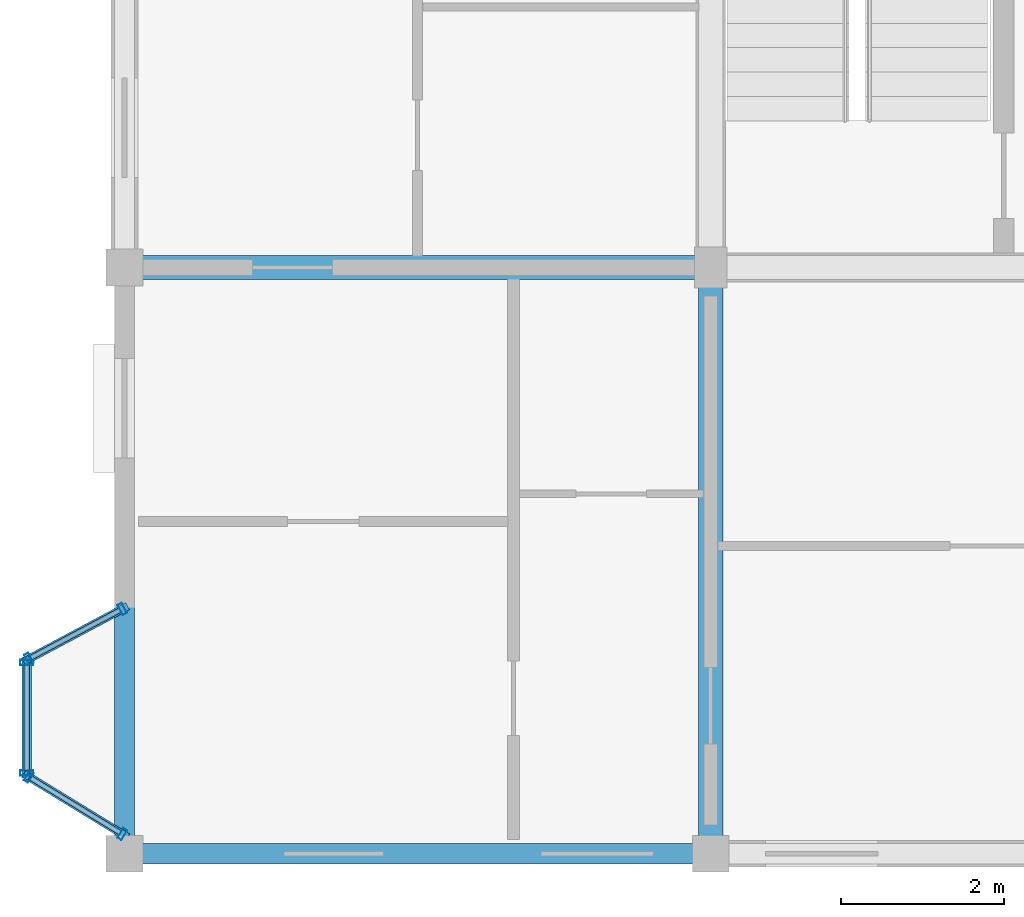
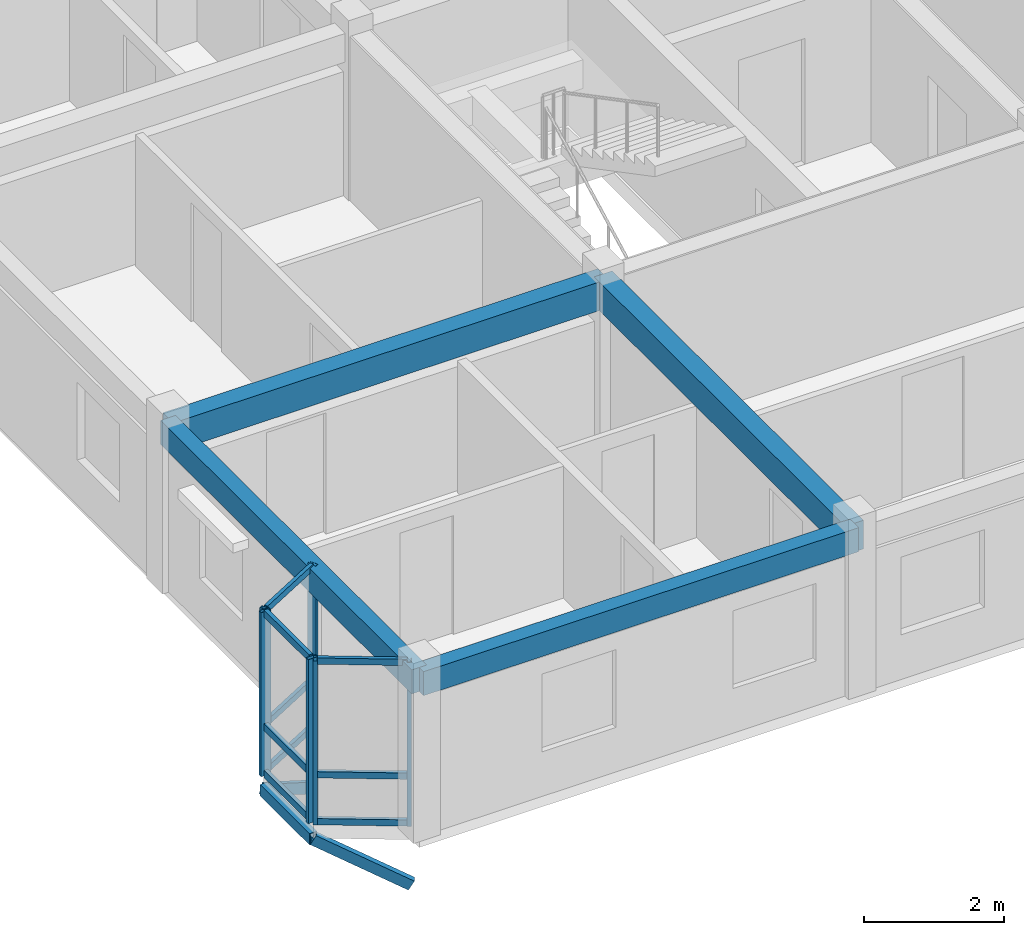
# One storey, part 3 of 23: 18 members, 4 beams, 3 elements without a shape of their own.
"""IFC4 building model written with IfcOpenShell, lengths in metres."""

from ifc_helpers import new_model, si_unit, direction, frame, origin, origin_2d, place, context, subcontext, project, spatial, rectangle, hollow_rectangle, extrude, material, layer, layer_set, material_profile, profile_set, type_object, element, aggregate, save


model = new_model("IFC4")

# Units and contexts
model_context = context("Model", 3, precision=1e-05, world=origin(), true_north=direction((0.0, 1.0)))
body_context = subcontext(model_context, "Body", "Model", "MODEL_VIEW")
ifc_project = project(units=[si_unit("LENGTHUNIT", "METRE"), si_unit("AREAUNIT", "SQUARE_METRE"), si_unit("VOLUMEUNIT", "CUBIC_METRE"), si_unit("PLANEANGLEUNIT", "RADIAN"), si_unit("MASSUNIT", "GRAM", prefix="KILO"), si_unit("THERMODYNAMICTEMPERATUREUNIT", "KELVIN"), si_unit("POWERUNIT", "WATT")], contexts=[model_context])

# Site, building, storey
site_placement = place(None, origin())
site = spatial("IfcSite", under=ifc_project, at=site_placement, CompositionType="ELEMENT")
building_placement = place(site_placement, origin())
building = spatial("IfcBuilding", under=site, at=building_placement, Name="Tavuni Mirador Residences", CompositionType="ELEMENT")
storey_placement = place(building_placement, frame((0.0, 0.0, 42.300048828125)))
storey = spatial("IfcBuildingStorey", under=building, at=storey_placement, Name="L13", CompositionType="ELEMENT", Elevation=42.300048828125)

# Beams
ifc_material_1 = material(Name="Precast concrete C40/50", Category="concrete")
ifc_material_profile_1 = material_profile(ifc_material_1, rectangle(XDim=0.300048828125, YDim=0.5, at=origin_2d()), Name="PC 300x500", Category="concrete")
ifc_profile_set_1 = profile_set([ifc_material_profile_1], Name="Precast concrete C40/50")
beam_type_1 = type_object("IfcBeamType", Name="BT-B500", PredefinedType="BEAM", material=ifc_profile_set_1)
for number, where, z_axis, x_axis, name in (
    (1, (3.60009765625, 14.39990234375, 2.619873046875), (1.0, 0.0, 0.0), (0.0, 1.0, 0.0), "BMX-BLK-A-L13-00-01"),
    (2, (10.800048828125, 7.199951171875, 2.619873046875), (0.0, 1.0, 0.0), (-1.0, 0.0, 0.0), "BMY-BLK-A-L13-01-00"),
):
    element("IfcBeam", number, at=place(storey_placement, frame(where, z_axis=z_axis, x_axis=x_axis)), inside=storey, type_object=beam_type_1, Name=name, PredefinedType="BEAM", context=body_context, shape_type="SweptSolid", body=[
        extrude(rectangle(XDim=0.300048828125, YDim=0.5, at=origin_2d()), origin(), (0.0, 0.0, 1.0), 7.199951171875),
    ])
ifc_material_profile_2 = material_profile(ifc_material_1, rectangle(XDim=0.25, YDim=0.419921875, at=origin_2d()), Name="PC 250x420", Category="concrete")
ifc_profile_set_2 = profile_set([ifc_material_profile_2], Name="Precast concrete C40/50")
beam_type_2 = type_object("IfcBeamType", Name="BT-SP420", PredefinedType="SPANDREL", material=ifc_profile_set_2)
for number, where, z_axis, x_axis, name in (
    (3, (3.60009765625, 7.199951171875, 2.659912109375), (1.0, 0.0, 0.0), (0.0, 1.0, 0.0), "BMX-BLK-A-L13-00-00"),
    (4, (3.60009765625, 7.199951171875, 2.659912109375), (0.0, 1.0, 0.0), (-1.0, 0.0, 0.0), "BMY-BLK-A-L13-00-00"),
):
    element("IfcBeam", number, at=place(storey_placement, frame(where, z_axis=z_axis, x_axis=x_axis)), inside=storey, type_object=beam_type_2, Name=name, PredefinedType="SPANDREL", context=body_context, shape_type="SweptSolid", body=[
        extrude(rectangle(XDim=0.25, YDim=0.419921875, at=origin_2d()), origin(), (0.0, 0.0, 1.0), 7.199951171875),
    ])

# Curtain wall, members
ifc_material_2 = material(Name="Anodised aluminium", Category="aluminium")
ifc_layer_1 = layer(ifc_material_2, 0.1650390625, Name="Anodised aluminium", Category="aluminium")
ifc_layer_set_1 = layer_set([ifc_layer_1], Name="Anodised aluminium")
curtain_wall_type_1 = type_object("IfcCurtainWallType", Name="CWT-MIR-A", PredefinedType="NOTDEFINED", material=ifc_layer_set_1)
curtain_wall_1_placement = place(storey_placement, origin())
curtain_wall_1 = element("IfcCurtainWall", 5, at=curtain_wall_1_placement, inside=storey, type_object=curtain_wall_type_1, Name="CW-MIR-A-W1-L13-M1", PredefinedType="NOTDEFINED")
ifc_material_profile_3 = material_profile(ifc_material_2, hollow_rectangle(XDim=0.06005859375, YDim=0.139892578125, WallThickness=0.00390625, at=origin_2d()), Name="ALU 60x140x4.0", Category="aluminium")
ifc_profile_set_3 = profile_set([ifc_material_profile_3], Name="Anodised aluminium")
member_type_1 = type_object("IfcMemberType", Name="CWM-140", PredefinedType="MULLION", material=ifc_profile_set_3)
member_1_placement = place(storey_placement, frame((3.573486328125, 10.205810546875, 0.0), z_axis=(0.0, 0.0, 1.0), x_axis=(-0.882352941175, -0.470588235296, 0.0)))
member_1 = element("IfcMember", 6, at=member_1_placement, type_object=member_type_1, Name="CW-01 mullion 1", PredefinedType="MULLION", context=body_context, shape_type="SweptSolid", body=[
    extrude(hollow_rectangle(XDim=0.06005859375, YDim=0.139892578125, WallThickness=0.00390625, at=origin_2d()), origin(), (0.0, 0.0, 1.0), 2.869873046875),
])
member_2_placement = place(storey_placement, frame((2.426513671875, 9.59423828125, 0.0), z_axis=(0.0, 0.0, 1.0), x_axis=(-0.882352941175, -0.470588235296, 0.0)))
member_2 = element("IfcMember", 7, at=member_2_placement, type_object=member_type_1, Name="CW-01 mullion 2", PredefinedType="MULLION", context=body_context, shape_type="SweptSolid", body=[
    extrude(hollow_rectangle(XDim=0.06005859375, YDim=0.139892578125, WallThickness=0.00390625, at=origin_2d()), origin(), (0.0, 0.0, 1.0), 2.869873046875),
])

ifc_layer_2 = layer(ifc_material_2, 0.175048828125, Name="Anodised aluminium", Category="aluminium")
ifc_layer_set_2 = layer_set([ifc_layer_2], Name="Anodised aluminium")
curtain_wall_type_2 = type_object("IfcCurtainWallType", Name="CWT-MIR-C", PredefinedType="NOTDEFINED", material=ifc_layer_set_2)
curtain_wall_2_placement = place(storey_placement, origin())
curtain_wall_2 = element("IfcCurtainWall", 8, at=curtain_wall_2_placement, inside=storey, type_object=curtain_wall_type_2, Name="CW-MIR-A-W1-L13-M2", PredefinedType="NOTDEFINED")
member_3_placement = place(storey_placement, frame((2.425537109375, 8.144287109375, 0.0), z_axis=(0.0, 0.0, 1.0), x_axis=(0.852754414845, -0.522312079088, 0.0)))
member_3 = element("IfcMember", 9, at=member_3_placement, type_object=member_type_1, Name="CW-03 mullion 1", PredefinedType="MULLION", context=body_context, shape_type="SweptSolid", body=[
    extrude(hollow_rectangle(XDim=0.06005859375, YDim=0.139892578125, WallThickness=0.00390625, at=origin_2d()), origin(), (0.0, 0.0, 1.0), 2.869873046875),
])
member_4_placement = place(storey_placement, frame((3.574462890625, 7.440673828125, 0.0), z_axis=(0.0, 0.0, 1.0), x_axis=(0.852754414845, -0.522312079088, 0.0)))
member_4 = element("IfcMember", 10, at=member_4_placement, type_object=member_type_1, Name="CW-03 mullion 2", PredefinedType="MULLION", context=body_context, shape_type="SweptSolid", body=[
    extrude(hollow_rectangle(XDim=0.06005859375, YDim=0.139892578125, WallThickness=0.00390625, at=origin_2d()), origin(), (0.0, 0.0, 1.0), 2.869873046875),
])

ifc_layer_3 = layer(ifc_material_2, 0.14990234375, Name="Anodised aluminium", Category="aluminium")
ifc_layer_set_3 = layer_set([ifc_layer_3], Name="Anodised aluminium")
curtain_wall_type_3 = type_object("IfcCurtainWallType", Name="CWT-MIR-B", PredefinedType="NOTDEFINED", material=ifc_layer_set_3)
curtain_wall_3_placement = place(storey_placement, origin())
curtain_wall_3 = element("IfcCurtainWall", 11, at=curtain_wall_3_placement, inside=storey, type_object=curtain_wall_type_3, Name="CW-MIR-A-W1-L13-MF", PredefinedType="NOTDEFINED")
ifc_material_profile_4 = material_profile(ifc_material_2, hollow_rectangle(XDim=0.06494140625, YDim=0.1650390625, WallThickness=0.00439453125, at=origin_2d()), Name="ALU 65x165x4.5", Category="aluminium")
ifc_profile_set_4 = profile_set([ifc_material_profile_4], Name="Anodised aluminium")
member_type_2 = type_object("IfcMemberType", Name="CWM-165", PredefinedType="MULLION", material=ifc_profile_set_4)
member_5_placement = place(storey_placement, frame((2.39990234375, 9.547607421875, 0.0), z_axis=(0.0, 0.0, 1.0), x_axis=(0.0, -1.0, 0.0)))
member_5 = element("IfcMember", 12, at=member_5_placement, type_object=member_type_2, Name="CW-02 mullion 1", PredefinedType="MULLION", context=body_context, shape_type="SweptSolid", body=[
    extrude(hollow_rectangle(XDim=0.06494140625, YDim=0.1650390625, WallThickness=0.00439453125, at=origin_2d()), origin(), (0.0, 0.0, 1.0), 2.869873046875),
])
member_6_placement = place(storey_placement, frame((2.39990234375, 8.1923828125, 0.0), z_axis=(0.0, 0.0, 1.0), x_axis=(0.0, -1.0, 0.0)))
member_6 = element("IfcMember", 13, at=member_6_placement, type_object=member_type_2, Name="CW-02 mullion 2", PredefinedType="MULLION", context=body_context, shape_type="SweptSolid", body=[
    extrude(hollow_rectangle(XDim=0.06494140625, YDim=0.1650390625, WallThickness=0.00439453125, at=origin_2d()), origin(), (0.0, 0.0, 1.0), 2.869873046875),
])

# Member
ifc_material_profile_5 = material_profile(ifc_material_2, hollow_rectangle(XDim=0.06005859375, YDim=0.110107421875, WallThickness=0.00390625, at=origin_2d()), Name="ALU 60x110x4.0", Category="aluminium")
ifc_profile_set_5 = profile_set([ifc_material_profile_5], Name="Anodised aluminium")
member_type_3 = type_object("IfcMemberType", Name="CWT-110", PredefinedType="USERDEFINED", material=ifc_profile_set_5)
member_7_placement = place(storey_placement, frame((3.547119140625, 10.191650390625, 0.030029296875), z_axis=(-0.882385637708, -0.470526924168, 0.0), x_axis=(0.470526924168, -0.882385637708, 0.0)))
member_7 = element("IfcMember", 14, at=member_7_placement, type_object=member_type_3, Name="CW-01 transom 1.1", ObjectType="TRANSOM", PredefinedType="USERDEFINED", context=body_context, shape_type="SweptSolid", body=[
    extrude(hollow_rectangle(XDim=0.06005859375, YDim=0.110107421875, WallThickness=0.00390625, at=origin_2d()), origin(), (0.0, 0.0, 1.0), 1.239990234375),
])

member_8_placement = place(storey_placement, frame((3.547119140625, 10.191650390625, 0.849853515625), z_axis=(-0.882385637708, -0.470526924168, 0.0), x_axis=(0.470526924168, -0.882385637708, 0.0)))
member_8 = element("IfcMember", 15, at=member_8_placement, type_object=member_type_3, Name="CW-01 transom 1.2", ObjectType="TRANSOM", PredefinedType="USERDEFINED", context=body_context, shape_type="SweptSolid", body=[
    extrude(hollow_rectangle(XDim=0.06005859375, YDim=0.110107421875, WallThickness=0.00390625, at=origin_2d()), origin(), (0.0, 0.0, 1.0), 1.239990234375),
])

member_9_placement = place(storey_placement, frame((3.547119140625, 10.191650390625, 2.83984375), z_axis=(-0.882385637708, -0.470526924168, 0.0), x_axis=(0.470526924168, -0.882385637708, 0.0)))
member_9 = element("IfcMember", 16, at=member_9_placement, type_object=member_type_3, Name="CW-01 transom 1.3", ObjectType="TRANSOM", PredefinedType="USERDEFINED", context=body_context, shape_type="SweptSolid", body=[
    extrude(hollow_rectangle(XDim=0.06005859375, YDim=0.110107421875, WallThickness=0.00390625, at=origin_2d()), origin(), (0.0, 0.0, 1.0), 1.239990234375),
])

aggregate(curtain_wall_1, [member_1, member_2, member_7, member_8, member_9])

member_10_placement = place(storey_placement, frame((2.451171875, 8.128662109375, 0.030029296875), z_axis=(0.852737518817, -0.522339663439, 0.0), x_axis=(0.522339663439, 0.852737518817, 0.0)))
member_10 = element("IfcMember", 17, at=member_10_placement, type_object=member_type_3, Name="CW-03 transom 1.1", ObjectType="TRANSOM", PredefinedType="USERDEFINED", context=body_context, shape_type="SweptSolid", body=[
    extrude(hollow_rectangle(XDim=0.06005859375, YDim=0.110107421875, WallThickness=0.00390625, at=origin_2d()), origin(), (0.0, 0.0, 1.0), 1.287109375),
])

member_11_placement = place(storey_placement, frame((2.451171875, 8.128662109375, 0.849853515625), z_axis=(0.852737518817, -0.522339663439, 0.0), x_axis=(0.522339663439, 0.852737518817, 0.0)))
member_11 = element("IfcMember", 18, at=member_11_placement, type_object=member_type_3, Name="CW-03 transom 1.2", ObjectType="TRANSOM", PredefinedType="USERDEFINED", context=body_context, shape_type="SweptSolid", body=[
    extrude(hollow_rectangle(XDim=0.06005859375, YDim=0.110107421875, WallThickness=0.00390625, at=origin_2d()), origin(), (0.0, 0.0, 1.0), 1.287109375),
])

member_12_placement = place(storey_placement, frame((2.451171875, 8.128662109375, 2.83984375), z_axis=(0.852737518817, -0.522339663439, 0.0), x_axis=(0.522339663439, 0.852737518817, 0.0)))
member_12 = element("IfcMember", 19, at=member_12_placement, type_object=member_type_3, Name="CW-03 transom 1.3", ObjectType="TRANSOM", PredefinedType="USERDEFINED", context=body_context, shape_type="SweptSolid", body=[
    extrude(hollow_rectangle(XDim=0.06005859375, YDim=0.110107421875, WallThickness=0.00390625, at=origin_2d()), origin(), (0.0, 0.0, 1.0), 1.287109375),
])

aggregate(curtain_wall_2, [member_3, member_4, member_10, member_11, member_12])

ifc_material_profile_6 = material_profile(ifc_material_2, hollow_rectangle(XDim=0.06494140625, YDim=0.125, WallThickness=0.00439453125, at=origin_2d()), Name="ALU 65x125x4.5", Category="aluminium")
ifc_profile_set_6 = profile_set([ifc_material_profile_6], Name="Anodised aluminium")
member_type_4 = type_object("IfcMemberType", Name="CWT-125", PredefinedType="USERDEFINED", material=ifc_profile_set_6)
member_13_placement = place(storey_placement, frame((2.39990234375, 9.514892578125, 0.032470703125), z_axis=(0.0, -1.0, 0.0), x_axis=(1.0, 0.0, 0.0)))
member_13 = element("IfcMember", 20, at=member_13_placement, type_object=member_type_4, Name="CW-02 transom 1.1", ObjectType="TRANSOM", PredefinedType="USERDEFINED", context=body_context, shape_type="SweptSolid", body=[
    extrude(hollow_rectangle(XDim=0.06494140625, YDim=0.125, WallThickness=0.00439453125, at=origin_2d()), origin(), (0.0, 0.0, 1.0), 1.289794921875),
])

member_14_placement = place(storey_placement, frame((2.39990234375, 9.514892578125, 0.849853515625), z_axis=(0.0, -1.0, 0.0), x_axis=(1.0, 0.0, 0.0)))
member_14 = element("IfcMember", 21, at=member_14_placement, type_object=member_type_4, Name="CW-02 transom 1.2", ObjectType="TRANSOM", PredefinedType="USERDEFINED", context=body_context, shape_type="SweptSolid", body=[
    extrude(hollow_rectangle(XDim=0.06494140625, YDim=0.125, WallThickness=0.00439453125, at=origin_2d()), origin(), (0.0, 0.0, 1.0), 1.289794921875),
])

member_15_placement = place(storey_placement, frame((2.39990234375, 9.514892578125, 2.83740234375), z_axis=(0.0, -1.0, 0.0), x_axis=(1.0, 0.0, 0.0)))
member_15 = element("IfcMember", 22, at=member_15_placement, type_object=member_type_4, Name="CW-02 transom 1.3", ObjectType="TRANSOM", PredefinedType="USERDEFINED", context=body_context, shape_type="SweptSolid", body=[
    extrude(hollow_rectangle(XDim=0.06494140625, YDim=0.125, WallThickness=0.00439453125, at=origin_2d()), origin(), (0.0, 0.0, 1.0), 1.289794921875),
])

aggregate(curtain_wall_3, [member_5, member_6, member_13, member_14, member_15])

# Members
ifc_material_3 = material(Name="Structural steel S355", Category="steel")
ifc_material_profile_7 = material_profile(ifc_material_3, hollow_rectangle(XDim=0.10009765625, YDim=0.179931640625, WallThickness=0.008056640625, at=origin_2d()), Name="RHS 180x100x8.0", Category="steel")
ifc_profile_set_7 = profile_set([ifc_material_profile_7], Name="Structural steel S355")
member_type_5 = type_object("IfcMemberType", Name="MT-BR-RHS180", PredefinedType="BRACE", material=ifc_profile_set_7)
member_16_placement = place(storey_placement, frame((3.60009765625, 7.425048828125, -1.050048828125), z_axis=(-0.748163203753, 0.458090163405, 0.480005440325), x_axis=(-0.522179610986, -0.852835537411, 0.0)))
element("IfcMember", 23, at=member_16_placement, inside=storey, type_object=member_type_5, Name="MBRK-MIR-A-W1-L13-1", PredefinedType="BRACE", context=body_context, shape_type="SweptSolid", body=[
    extrude(hollow_rectangle(XDim=0.10009765625, YDim=0.179931640625, WallThickness=0.008056640625, at=origin_2d()), origin(), (0.0, 0.0, 1.0), 1.604248046875),
])
member_17_placement = place(storey_placement, frame((3.60009765625, 10.219970703125, -1.050048828125), z_axis=(-0.767896193149, -0.409409260017, 0.492665702439), x_axis=(0.470467115558, -0.882417527692, 0.0)))
element("IfcMember", 24, at=member_17_placement, inside=storey, type_object=member_type_5, Name="MBRK-MIR-A-W1-L13-2", PredefinedType="BRACE", context=body_context, shape_type="SweptSolid", body=[
    extrude(hollow_rectangle(XDim=0.10009765625, YDim=0.179931640625, WallThickness=0.008056640625, at=origin_2d()), origin(), (0.0, 0.0, 1.0), 1.56298828125),
])
ifc_material_profile_8 = material_profile(ifc_material_3, hollow_rectangle(XDim=0.1201171875, YDim=0.199951171875, WallThickness=0.010009765625, at=origin_2d()), Name="RHS 200x120x10.0", Category="steel")
ifc_profile_set_8 = profile_set([ifc_material_profile_8], Name="Structural steel S355")
member_type_6 = type_object("IfcMemberType", Name="MT-ST-RHS200", PredefinedType="STRUT", material=ifc_profile_set_8)
member_18_placement = place(storey_placement, frame((2.39990234375, 8.159912109375, -0.280029296875), z_axis=(0.0, 1.0, 0.0), x_axis=(-1.0, 0.0, 0.0)))
element("IfcMember", 25, at=member_18_placement, inside=storey, type_object=member_type_6, Name="MRIM-MIR-A-W1-L13", PredefinedType="STRUT", context=body_context, shape_type="SweptSolid", body=[
    extrude(hollow_rectangle(XDim=0.1201171875, YDim=0.199951171875, WallThickness=0.010009765625, at=origin_2d()), origin(), (0.0, 0.0, 1.0), 1.420166015625),
])

save(model, "model.ifc")
